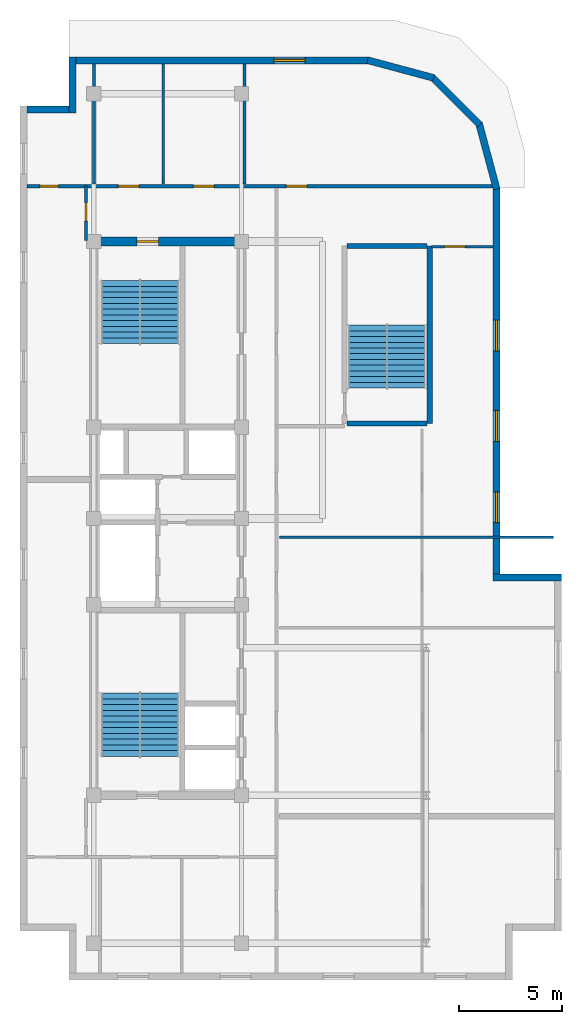
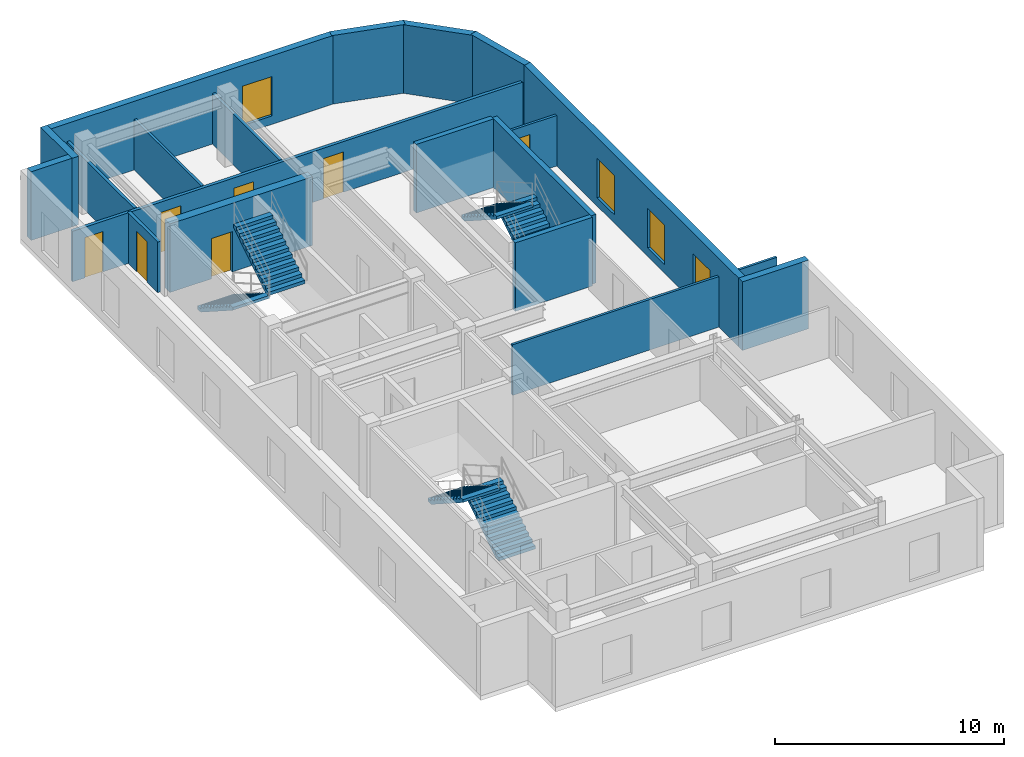
# One storey, part 4 of 5: 19 walls, 7 doors, 6 stair flights, 4 windows, 11 openings, 3 elements without a shape of their own.
"""IFC4 building model written with IfcOpenShell, lengths in metres."""

from ifc_helpers import new_model, entity, si_unit, converted_unit, direction, frame, origin_with_axes, origin_2d_with_axis, place, context, subcontext, project, spatial, polyline, rectangle, outline, extrude, material, layer, layer_set, type_object, element, fill, aggregate, save


model = new_model("IFC4")

# Units and contexts
model_context = context("Model", 3, precision=1e-05, world=origin_with_axes(), true_north=direction((0.0, 1.0)))
body_context = subcontext(model_context, "Body", "Model", "MODEL_VIEW")
ifc_project = project(units=[si_unit("LENGTHUNIT", "METRE"), si_unit("AREAUNIT", "SQUARE_METRE"), si_unit("VOLUMEUNIT", "CUBIC_METRE"), converted_unit("PLANEANGLEUNIT", "DEGREE", entity("IfcPlaneAngleMeasure", 0.017453292519943295), si_unit("PLANEANGLEUNIT", "RADIAN"), dimensions=[0, 0, 0, 0, 0, 0, 0]), si_unit("MASSUNIT", "GRAM", prefix="KILO"), si_unit("THERMODYNAMICTEMPERATUREUNIT", "KELVIN")], contexts=[model_context])

# Site, building, storey
site_placement = place(None, origin_with_axes())
site = spatial("IfcSite", under=ifc_project, at=site_placement, CompositionType="ELEMENT")
building_placement = place(site_placement, origin_with_axes())
building = spatial("IfcBuilding", under=site, at=building_placement, Name="Varnlund Millrace Tower", CompositionType="ELEMENT")
storey_placement = place(building_placement, frame((0.0, 0.0, 295.8), z_axis=(0.0, 0.0, 1.0), x_axis=(1.0, 0.0, 0.0)))
storey = spatial("IfcBuildingStorey", under=building, at=storey_placement, Name="L73", CompositionType="ELEMENT", Elevation=295.8)

# Wall, opening, door
ifc_material_1 = material(Name="Concrete C60/75", Category="concrete")
ifc_layer_1 = layer(ifc_material_1, 0.42, Name="Concrete C60/75")
ifc_layer_set_1 = layer_set([ifc_layer_1], Name="Concrete C60/75")
wall_type_1 = type_object("IfcWallType", Name="Type-CoreWall-Shear-420-C60", PredefinedType="SHEAR", material=ifc_layer_set_1)
wall_1_placement = place(storey_placement, frame((11.4, 37.8, 0.0), z_axis=(0.0, 0.0, 1.0), x_axis=(1.0, 0.0, 0.0)))
wall_1 = element("IfcWall", 1, at=wall_1_placement, inside=storey, type_object=wall_type_1, Name="Type-CoreWall-Shear-420-C60", PredefinedType="SHEAR", context=body_context, shape_type="SweptSolid", body=[
    extrude(outline(polyline([(0.0, -0.21), (7.2, -0.21), (7.2, 0.21), (0.0, 0.21), (0.0, -0.21)])), origin_with_axes(), (0.0, 0.0, 1.0), 3.66),
])
opening_1_placement = place(wall_1_placement, frame((2.625, 0.0, 0.0), z_axis=(0.0, 0.0, 1.0), x_axis=(1.0, 0.0, 0.0)))
opening_1 = element("IfcOpeningElement", 2, at=opening_1_placement, cuts=wall_1, Name="Opening L73:DR-STA2", PredefinedType="OPENING", context=body_context, shape_type="SweptSolid", body=[
    extrude(rectangle(XDim=1.05, YDim=0.44, at=origin_2d_with_axis()), origin_with_axes(), (0.0, 0.0, 1.0), 2.15),
])
ifc_material_2 = material(Name="Fire-rated hollow steel door", Category="steel")
door_type_1 = type_object("IfcDoorType", Name="Type-FireDoor-Stair-1050X2150", OperationType="NOTDEFINED", PredefinedType="DOOR", material=ifc_material_2)
door_1_placement = place(wall_1_placement, frame((2.625, 0.0, 0.0), z_axis=(0.0, 0.0, 1.0), x_axis=(1.0, 0.0, 0.0)))
door_1 = element("IfcDoor", 3, at=door_1_placement, inside=storey, type_object=door_type_1, Name="Type-FireDoor-Stair-1050X2150", OperationType="SINGLE_SWING_RIGHT", OverallHeight=2.15, OverallWidth=1.05, PredefinedType="DOOR", context=body_context, shape_type="SweptSolid", body=[
    extrude(rectangle(XDim=1.05, YDim=0.09, at=origin_2d_with_axis()), origin_with_axes(), (0.0, 0.0, 1.0), 2.15),
])
fill(opening_1, door_1)

# Walls
ifc_material_3 = material(Name="Precast concrete C50/60", Category="concrete")
ifc_layer_2 = layer(ifc_material_3, 0.34, Name="Precast concrete C50/60")
ifc_layer_set_2 = layer_set([ifc_layer_2], Name="Precast concrete C50/60")
wall_type_2 = type_object("IfcWallType", Name="Type-ExtWall-Precast-Upper-340", PredefinedType="SOLIDWALL", material=ifc_layer_set_2)
wall_2_placement = place(storey_placement, frame((8.14, 44.23, 0.0), z_axis=(0.0, 0.0, 1.0), x_axis=(1.0, 0.0, 0.0)))
element("IfcWall", 4, at=wall_2_placement, inside=storey, type_object=wall_type_2, Name="Type-ExtWall-Precast-Upper-340", PredefinedType="SOLIDWALL", context=body_context, shape_type="SweptSolid", body=[
    extrude(outline(polyline([(0.0, -0.17), (2.06, -0.17), (2.06, 0.17), (0.0, 0.17), (0.0, -0.17)])), origin_with_axes(), (0.0, 0.0, 1.0), 3.66),
])
wall_3_placement = place(storey_placement, frame((10.37, 44.06, 0.0), z_axis=(0.0, 0.0, 1.0), x_axis=(0.0, 1.0, 0.0)))
element("IfcWall", 5, at=wall_3_placement, inside=storey, type_object=wall_type_2, Name="Type-ExtWall-Precast-Upper-340", PredefinedType="SOLIDWALL", context=body_context, shape_type="SweptSolid", body=[
    extrude(outline(polyline([(0.0, -0.17), (2.74, -0.17), (2.74, 0.17), (0.0, 0.17), (0.0, -0.17)])), origin_with_axes(), (0.0, 0.0, 1.0), 3.66),
])

# Wall, opening, window
wall_4_placement = place(storey_placement, frame((10.54, 46.63, 0.0), z_axis=(0.0, 0.0, 1.0), x_axis=(1.0, 0.0, 0.0)))
wall_4 = element("IfcWall", 6, at=wall_4_placement, inside=storey, type_object=wall_type_2, Name="Type-ExtWall-Precast-Upper-340", PredefinedType="SOLIDWALL", context=body_context, shape_type="SweptSolid", body=[
    extrude(outline(polyline([(0.0, -0.17), (14.26, -0.17), (14.26, 0.17), (0.0, 0.17), (0.0, -0.17)])), origin_with_axes(), (0.0, 0.0, 1.0), 3.66),
])
opening_2_placement = place(wall_4_placement, frame((10.395, 0.0, 0.45), z_axis=(0.0, 0.0, 1.0), x_axis=(1.0, 0.0, 0.0)))
opening_2 = element("IfcOpeningElement", 7, at=opening_2_placement, cuts=wall_4, Name="Opening L73:WN-12", PredefinedType="OPENING", context=body_context, shape_type="SweptSolid", body=[
    extrude(rectangle(XDim=1.5, YDim=0.36, at=origin_2d_with_axis()), origin_with_axes(), (0.0, 0.0, 1.0), 2.1),
])
ifc_material_4 = material(Name="Argon low-e triple glazing in thermally broken bronze frame", Category="glass")
window_type = type_object("IfcWindowType", Name="Type-Window-Punched-1500X2100", PartitioningType="SINGLE_PANEL", PredefinedType="WINDOW", material=ifc_material_4)
window_1_placement = place(wall_4_placement, frame((10.395, 0.0, 0.45), z_axis=(0.0, 0.0, 1.0), x_axis=(1.0, 0.0, 0.0)))
window_1 = element("IfcWindow", 8, at=window_1_placement, inside=storey, type_object=window_type, Name="Type-Window-Punched-1500X2100", OverallHeight=2.1, OverallWidth=1.5, PredefinedType="WINDOW", context=body_context, shape_type="SweptSolid", body=[
    extrude(rectangle(XDim=1.5, YDim=0.09, at=origin_2d_with_axis()), origin_with_axes(), (0.0, 0.0, 1.0), 2.1),
])
fill(opening_2, window_1)

# Walls
wall_5_placement = place(storey_placement, frame((24.737, 46.641, 0.0), z_axis=(0.0, 0.0, 1.0), x_axis=(0.965965, -0.258671, 0.0)))
element("IfcWall", 9, at=wall_5_placement, inside=storey, type_object=wall_type_2, Name="Type-ExtWall-Precast-Upper-340", PredefinedType="SOLIDWALL", context=body_context, shape_type="SweptSolid", body=[
    extrude(outline(polyline([(0.0, -0.17), (3.332417, -0.17), (3.332417, 0.17), (0.0, 0.17), (0.0, -0.17)])), origin_with_axes(), (0.0, 0.0, 1.0), 3.66),
])
wall_6_placement = place(storey_placement, frame((27.866, 45.837, 0.0), z_axis=(0.0, 0.0, 1.0), x_axis=(0.707107, -0.707107, 0.0)))
element("IfcWall", 10, at=wall_6_placement, inside=storey, type_object=wall_type_2, Name="Type-ExtWall-Precast-Upper-340", PredefinedType="SOLIDWALL", context=body_context, shape_type="SweptSolid", body=[
    extrude(outline(polyline([(0.0, -0.17), (3.333301, -0.17), (3.333301, 0.17), (0.0, 0.17), (0.0, -0.17)])), origin_with_axes(), (0.0, 0.0, 1.0), 3.66),
])
wall_7_placement = place(storey_placement, frame((30.174, 43.575, 0.0), z_axis=(0.0, 0.0, 1.0), x_axis=(0.258671, -0.965965, 0.0)))
element("IfcWall", 11, at=wall_7_placement, inside=storey, type_object=wall_type_2, Name="Type-ExtWall-Precast-Upper-340", PredefinedType="SOLIDWALL", context=body_context, shape_type="SweptSolid", body=[
    extrude(outline(polyline([(0.0, -0.17), (3.332417, -0.17), (3.332417, 0.17), (0.0, 0.17), (0.0, -0.17)])), origin_with_axes(), (0.0, 0.0, 1.0), 3.66),
])

# Wall, openings, windows
wall_8_placement = place(storey_placement, frame((31.03, 40.42, 0.0), z_axis=(0.0, 0.0, 1.0), x_axis=(0.0, -1.0, 0.0)))
wall_8 = element("IfcWall", 12, at=wall_8_placement, inside=storey, type_object=wall_type_2, Name="Type-ExtWall-Precast-Upper-340", PredefinedType="SOLIDWALL", context=body_context, shape_type="SweptSolid", body=[
    extrude(outline(polyline([(0.0, -0.17), (18.82, -0.17), (18.82, 0.17), (0.0, 0.17), (0.0, -0.17)])), origin_with_axes(), (0.0, 0.0, 1.0), 3.66),
])
opening_3_placement = place(wall_8_placement, frame((7.207, 0.0, 0.45), z_axis=(0.0, 0.0, 1.0), x_axis=(1.0, 0.0, 0.0)))
opening_3 = element("IfcOpeningElement", 13, at=opening_3_placement, cuts=wall_8, Name="Opening L73:WN-13", PredefinedType="OPENING", context=body_context, shape_type="SweptSolid", body=[
    extrude(rectangle(XDim=1.5, YDim=0.36, at=origin_2d_with_axis()), origin_with_axes(), (0.0, 0.0, 1.0), 2.1),
])
opening_4_placement = place(wall_8_placement, frame((11.613, 0.0, 0.45), z_axis=(0.0, 0.0, 1.0), x_axis=(1.0, 0.0, 0.0)))
opening_4 = element("IfcOpeningElement", 14, at=opening_4_placement, cuts=wall_8, Name="Opening L73:WN-14", PredefinedType="OPENING", context=body_context, shape_type="SweptSolid", body=[
    extrude(rectangle(XDim=1.5, YDim=0.36, at=origin_2d_with_axis()), origin_with_axes(), (0.0, 0.0, 1.0), 2.1),
])
opening_5_placement = place(wall_8_placement, frame((15.568, 0.0, 0.45), z_axis=(0.0, 0.0, 1.0), x_axis=(1.0, 0.0, 0.0)))
opening_5 = element("IfcOpeningElement", 15, at=opening_5_placement, cuts=wall_8, Name="Opening L73:WN-15", PredefinedType="OPENING", context=body_context, shape_type="SweptSolid", body=[
    extrude(rectangle(XDim=1.5, YDim=0.36, at=origin_2d_with_axis()), origin_with_axes(), (0.0, 0.0, 1.0), 2.1),
])
window_2_placement = place(wall_8_placement, frame((7.207, 0.0, 0.45), z_axis=(0.0, 0.0, 1.0), x_axis=(1.0, 0.0, 0.0)))
window_2 = element("IfcWindow", 16, at=window_2_placement, inside=storey, type_object=window_type, Name="Type-Window-Punched-1500X2100", OverallHeight=2.1, OverallWidth=1.5, PredefinedType="WINDOW", context=body_context, shape_type="SweptSolid", body=[
    extrude(rectangle(XDim=1.5, YDim=0.09, at=origin_2d_with_axis()), origin_with_axes(), (0.0, 0.0, 1.0), 2.1),
])
fill(opening_3, window_2)
window_3_placement = place(wall_8_placement, frame((11.613, 0.0, 0.45), z_axis=(0.0, 0.0, 1.0), x_axis=(1.0, 0.0, 0.0)))
window_3 = element("IfcWindow", 17, at=window_3_placement, inside=storey, type_object=window_type, Name="Type-Window-Punched-1500X2100", OverallHeight=2.1, OverallWidth=1.5, PredefinedType="WINDOW", context=body_context, shape_type="SweptSolid", body=[
    extrude(rectangle(XDim=1.5, YDim=0.09, at=origin_2d_with_axis()), origin_with_axes(), (0.0, 0.0, 1.0), 2.1),
])
fill(opening_4, window_3)
window_4_placement = place(wall_8_placement, frame((15.568, 0.0, 0.45), z_axis=(0.0, 0.0, 1.0), x_axis=(1.0, 0.0, 0.0)))
window_4 = element("IfcWindow", 18, at=window_4_placement, inside=storey, type_object=window_type, Name="Type-Window-Punched-1500X2100", OverallHeight=2.1, OverallWidth=1.5, PredefinedType="WINDOW", context=body_context, shape_type="SweptSolid", body=[
    extrude(rectangle(XDim=1.5, YDim=0.09, at=origin_2d_with_axis()), origin_with_axes(), (0.0, 0.0, 1.0), 2.1),
])
fill(opening_5, window_4)

# Wall
wall_9_placement = place(storey_placement, frame((30.86, 21.43, 0.0), z_axis=(0.0, 0.0, 1.0), x_axis=(1.0, 0.0, 0.0)))
element("IfcWall", 19, at=wall_9_placement, inside=storey, type_object=wall_type_2, Name="Type-ExtWall-Precast-Upper-340", PredefinedType="SOLIDWALL", context=body_context, shape_type="SweptSolid", body=[
    extrude(outline(polyline([(0.0, -0.17), (3.34, -0.17), (3.34, 0.17), (0.0, 0.17), (0.0, -0.17)])), origin_with_axes(), (0.0, 0.0, 1.0), 3.66),
])

# Wall, openings, doors
ifc_material_5 = material(Name="Fire-rated gypsum board on cold-formed steel framing", Category="steel")
ifc_layer_3 = layer(ifc_material_5, 0.16, Name="Fire-rated gypsum board on cold-formed steel framing")
ifc_layer_set_3 = layer_set([ifc_layer_3], Name="Fire-rated gypsum board on cold-formed steel framing")
wall_type_3 = type_object("IfcWallType", Name="Type-Partition-Corridor-160", PredefinedType="PARTITIONING", material=ifc_layer_set_3)
wall_10_placement = place(storey_placement, frame((8.135, 40.5, 0.0), z_axis=(0.0, 0.0, 1.0), x_axis=(1.0, 0.0, 0.0)))
wall_10 = element("IfcWall", 20, at=wall_10_placement, inside=storey, type_object=wall_type_3, Name="Type-Partition-Corridor-160", PredefinedType="PARTITIONING", context=body_context, shape_type="SweptSolid", body=[
    extrude(outline(polyline([(0.0, -0.08), (22.715, -0.08), (22.715, 0.08), (0.0, 0.08), (0.0, -0.08)])), origin_with_axes(), (0.0, 0.0, 1.0), 2.7),
])
opening_6_placement = place(wall_10_placement, frame((1.08, 0.0, 0.0), z_axis=(0.0, 0.0, 1.0), x_axis=(1.0, 0.0, 0.0)))
opening_6 = element("IfcOpeningElement", 21, at=opening_6_placement, cuts=wall_10, Name="Opening L73:DR-WAN-01", PredefinedType="OPENING", context=body_context, shape_type="SweptSolid", body=[
    extrude(rectangle(XDim=0.9, YDim=0.18, at=origin_2d_with_axis()), origin_with_axes(), (0.0, 0.0, 1.0), 2.15),
])
opening_7_placement = place(wall_10_placement, frame((4.9585, 0.0, 0.0), z_axis=(0.0, 0.0, 1.0), x_axis=(1.0, 0.0, 0.0)))
opening_7 = element("IfcOpeningElement", 22, at=opening_7_placement, cuts=wall_10, Name="Opening L73:DR-WAN-02", PredefinedType="OPENING", context=body_context, shape_type="SweptSolid", body=[
    extrude(rectangle(XDim=1.0, YDim=0.18, at=origin_2d_with_axis()), origin_with_axes(), (0.0, 0.0, 1.0), 2.15),
])
opening_8_placement = place(wall_10_placement, frame((8.63, 0.0, 0.0), z_axis=(0.0, 0.0, 1.0), x_axis=(1.0, 0.0, 0.0)))
opening_8 = element("IfcOpeningElement", 23, at=opening_8_placement, cuts=wall_10, Name="Opening L73:DR-WAN-03", PredefinedType="OPENING", context=body_context, shape_type="SweptSolid", body=[
    extrude(rectangle(XDim=1.0, YDim=0.18, at=origin_2d_with_axis()), origin_with_axes(), (0.0, 0.0, 1.0), 2.15),
])
opening_9_placement = place(wall_10_placement, frame((13.151, 0.0, 0.0), z_axis=(0.0, 0.0, 1.0), x_axis=(1.0, 0.0, 0.0)))
opening_9 = element("IfcOpeningElement", 24, at=opening_9_placement, cuts=wall_10, Name="Opening L73:DR-WAN-04", PredefinedType="OPENING", context=body_context, shape_type="SweptSolid", body=[
    extrude(rectangle(XDim=1.0, YDim=0.18, at=origin_2d_with_axis()), origin_with_axes(), (0.0, 0.0, 1.0), 2.15),
])
ifc_material_6 = material(Name="Painted steel riser and closet door", Category="steel")
door_type_2 = type_object("IfcDoorType", Name="Type-IntDoor-Closet-900X2150", OperationType="NOTDEFINED", PredefinedType="DOOR", material=ifc_material_6)
door_2_placement = place(wall_10_placement, frame((1.08, 0.0, 0.0), z_axis=(0.0, 0.0, 1.0), x_axis=(1.0, 0.0, 0.0)))
door_2 = element("IfcDoor", 25, at=door_2_placement, inside=storey, type_object=door_type_2, Name="Type-IntDoor-Closet-900X2150", OperationType="SINGLE_SWING_LEFT", OverallHeight=2.15, OverallWidth=0.9, PredefinedType="DOOR", context=body_context, shape_type="SweptSolid", body=[
    extrude(rectangle(XDim=0.9, YDim=0.09, at=origin_2d_with_axis()), origin_with_axes(), (0.0, 0.0, 1.0), 2.15),
])
fill(opening_6, door_2)
ifc_material_7 = material(Name="Solid-core white oak and bronze frame door")
door_type_3 = type_object("IfcDoorType", Name="Type-IntDoor-Office-1000X2150", OperationType="NOTDEFINED", PredefinedType="DOOR", material=ifc_material_7)
door_3_placement = place(wall_10_placement, frame((4.9585, 0.0, 0.0), z_axis=(0.0, 0.0, 1.0), x_axis=(1.0, 0.0, 0.0)))
door_3 = element("IfcDoor", 26, at=door_3_placement, inside=storey, type_object=door_type_3, Name="Type-IntDoor-Office-1000X2150", OperationType="SINGLE_SWING_RIGHT", OverallHeight=2.15, OverallWidth=1.0, PredefinedType="DOOR", context=body_context, shape_type="SweptSolid", body=[
    extrude(rectangle(XDim=1.0, YDim=0.09, at=origin_2d_with_axis()), origin_with_axes(), (0.0, 0.0, 1.0), 2.15),
])
fill(opening_7, door_3)
door_4_placement = place(wall_10_placement, frame((8.63, 0.0, 0.0), z_axis=(0.0, 0.0, 1.0), x_axis=(1.0, 0.0, 0.0)))
door_4 = element("IfcDoor", 27, at=door_4_placement, inside=storey, type_object=door_type_3, Name="Type-IntDoor-Office-1000X2150", OperationType="SINGLE_SWING_LEFT", OverallHeight=2.15, OverallWidth=1.0, PredefinedType="DOOR", context=body_context, shape_type="SweptSolid", body=[
    extrude(rectangle(XDim=1.0, YDim=0.09, at=origin_2d_with_axis()), origin_with_axes(), (0.0, 0.0, 1.0), 2.15),
])
fill(opening_8, door_4)
door_5_placement = place(wall_10_placement, frame((13.151, 0.0, 0.0), z_axis=(0.0, 0.0, 1.0), x_axis=(1.0, 0.0, 0.0)))
door_5 = element("IfcDoor", 28, at=door_5_placement, inside=storey, type_object=door_type_3, Name="Type-IntDoor-Office-1000X2150", OperationType="SINGLE_SWING_RIGHT", OverallHeight=2.15, OverallWidth=1.0, PredefinedType="DOOR", context=body_context, shape_type="SweptSolid", body=[
    extrude(rectangle(XDim=1.0, YDim=0.09, at=origin_2d_with_axis()), origin_with_axes(), (0.0, 0.0, 1.0), 2.15),
])
fill(opening_9, door_5)

# Wall, opening, door
wall_11_placement = place(storey_placement, frame((11.02, 37.85, 0.0), z_axis=(0.0, 0.0, 1.0), x_axis=(0.0, 1.0, 0.0)))
wall_11 = element("IfcWall", 29, at=wall_11_placement, inside=storey, type_object=wall_type_3, Name="Type-Partition-Corridor-160", PredefinedType="PARTITIONING", context=body_context, shape_type="SweptSolid", body=[
    extrude(outline(polyline([(0.0, -0.08), (2.65, -0.08), (2.65, 0.08), (0.0, 0.08), (0.0, -0.08)])), origin_with_axes(), (0.0, 0.0, 1.0), 2.7),
])
opening_10_placement = place(wall_11_placement, frame((1.4, 0.0, 0.0), z_axis=(0.0, 0.0, 1.0), x_axis=(1.0, 0.0, 0.0)))
opening_10 = element("IfcOpeningElement", 30, at=opening_10_placement, cuts=wall_11, Name="Opening L73:DR-WU-N1", PredefinedType="OPENING", context=body_context, shape_type="SweptSolid", body=[
    extrude(rectangle(XDim=0.9, YDim=0.18, at=origin_2d_with_axis()), origin_with_axes(), (0.0, 0.0, 1.0), 2.15),
])
door_6_placement = place(wall_11_placement, frame((1.4, 0.0, 0.0), z_axis=(0.0, 0.0, 1.0), x_axis=(1.0, 0.0, 0.0)))
door_6 = element("IfcDoor", 31, at=door_6_placement, inside=storey, type_object=door_type_2, Name="Type-IntDoor-Closet-900X2150", OperationType="SINGLE_SWING_RIGHT", OverallHeight=2.15, OverallWidth=0.9, PredefinedType="DOOR", context=body_context, shape_type="SweptSolid", body=[
    extrude(rectangle(XDim=0.9, YDim=0.09, at=origin_2d_with_axis()), origin_with_axes(), (0.0, 0.0, 1.0), 2.15),
])
fill(opening_10, door_6)

# Walls
ifc_material_8 = material(Name="Acoustic STC-50 gypsum board partition", Category="gypsum")
ifc_layer_4 = layer(ifc_material_8, 0.15, Name="Acoustic STC-50 gypsum board partition")
ifc_layer_set_4 = layer_set([ifc_layer_4], Name="Acoustic STC-50 gypsum board partition")
wall_type_4 = type_object("IfcWallType", Name="Type-Partition-Demising-150", PredefinedType="PARTITIONING", material=ifc_layer_set_4)
for number, where, z_axis, x_axis, name in (
    (32, (11.4, 40.6, 0.0), (0.0, 0.0, 1.0), (0.0, 1.0, 0.0), "Type-Partition-Demising-150"),
    (33, (18.743, 40.6, 0.0), (0.0, 0.0, 1.0), (0.0, 1.0, 0.0), "Type-Partition-Demising-150"),
):
    element("IfcWall", number, at=place(storey_placement, frame(where, z_axis=z_axis, x_axis=x_axis)), inside=storey, type_object=wall_type_4, Name=name, PredefinedType="PARTITIONING", context=body_context, shape_type="SweptSolid", body=[
        extrude(outline(polyline([(0.0, -0.075), (5.865, -0.075), (5.865, 0.075), (0.0, 0.075), (0.0, -0.075)])), origin_with_axes(), (0.0, 0.0, 1.0), 2.7),
    ])
ifc_material_9 = material(Name="Gypsum board tenant partition", Category="gypsum")
ifc_layer_5 = layer(ifc_material_9, 0.125, Name="Gypsum board tenant partition")
ifc_layer_set_5 = layer_set([ifc_layer_5], Name="Gypsum board tenant partition")
wall_type_5 = type_object("IfcWallType", Name="Type-Partition-Tenant-125", PredefinedType="PARTITIONING", material=ifc_layer_set_5)
wall_12_placement = place(storey_placement, frame((14.787, 40.6, 0.0), z_axis=(0.0, 0.0, 1.0), x_axis=(0.0, 1.0, 0.0)))
element("IfcWall", 34, at=wall_12_placement, inside=storey, type_object=wall_type_5, Name="Type-Partition-Tenant-125", PredefinedType="PARTITIONING", context=body_context, shape_type="SweptSolid", body=[
    extrude(outline(polyline([(0.0, -0.0625), (5.865, -0.0625), (5.865, 0.0625), (0.0, 0.0625), (0.0, -0.0625)])), origin_with_axes(), (0.0, 0.0, 1.0), 2.7),
])
wall_13_placement = place(storey_placement, frame((20.45, 23.383, 0.0), z_axis=(0.0, 0.0, 1.0), x_axis=(1.0, 0.0, 0.0)))
element("IfcWall", 35, at=wall_13_placement, inside=storey, type_object=wall_type_5, Name="Type-Partition-Tenant-125", PredefinedType="PARTITIONING", context=body_context, shape_type="SweptSolid", body=[
    extrude(outline(polyline([(0.0, -0.0625), (13.35, -0.0625), (13.35, 0.0625), (0.0, 0.0625), (0.0, -0.0625)])), origin_with_axes(), (0.0, 0.0, 1.0), 2.7),
])

# Wall, opening, door
wall_14_placement = place(storey_placement, frame((27.85, 37.55, 0.0), z_axis=(0.0, 0.0, 1.0), x_axis=(1.0, 0.0, 0.0)))
wall_14 = element("IfcWall", 36, at=wall_14_placement, inside=storey, type_object=wall_type_5, Name="Type-Partition-Tenant-125", PredefinedType="PARTITIONING", context=body_context, shape_type="SweptSolid", body=[
    extrude(outline(polyline([(0.0, -0.0625), (3.015, -0.0625), (3.015, 0.0625), (0.0, 0.0625), (0.0, -0.0625)])), origin_with_axes(), (0.0, 0.0, 1.0), 2.7),
])
opening_11_placement = place(wall_14_placement, frame((1.15, 0.0, 0.0), z_axis=(0.0, 0.0, 1.0), x_axis=(1.0, 0.0, 0.0)))
opening_11 = element("IfcOpeningElement", 37, at=opening_11_placement, cuts=wall_14, Name="Opening L73:DR-SUM-N", PredefinedType="OPENING", context=body_context, shape_type="SweptSolid", body=[
    extrude(rectangle(XDim=1.0, YDim=0.145, at=origin_2d_with_axis()), origin_with_axes(), (0.0, 0.0, 1.0), 2.15),
])
door_7_placement = place(wall_14_placement, frame((1.15, 0.0, 0.0), z_axis=(0.0, 0.0, 1.0), x_axis=(1.0, 0.0, 0.0)))
door_7 = element("IfcDoor", 38, at=door_7_placement, inside=storey, type_object=door_type_3, Name="Type-IntDoor-Office-1000X2150", OperationType="SINGLE_SWING_LEFT", OverallHeight=2.15, OverallWidth=1.0, PredefinedType="DOOR", context=body_context, shape_type="SweptSolid", body=[
    extrude(rectangle(XDim=1.0, YDim=0.075, at=origin_2d_with_axis()), origin_with_axes(), (0.0, 0.0, 1.0), 2.15),
])
fill(opening_11, door_7)

# Walls
ifc_layer_6 = layer(ifc_material_1, 0.25, Name="Concrete C60/75")
ifc_layer_set_6 = layer_set([ifc_layer_6], Name="Concrete C60/75")
wall_type_6 = type_object("IfcWallType", Name="Type-StairWall-Shear-250", PredefinedType="SHEAR", material=ifc_layer_set_6)
wall_15_placement = place(storey_placement, frame((27.775, 28.925, 0.0), z_axis=(0.0, 0.0, 1.0), x_axis=(0.0, 1.0, 0.0)))
element("IfcWall", 39, at=wall_15_placement, inside=storey, type_object=wall_type_6, Name="Type-StairWall-Shear-250", PredefinedType="SHEAR", context=body_context, shape_type="SweptSolid", body=[
    extrude(outline(polyline([(0.0, -0.125), (8.65, -0.125), (8.65, 0.125), (0.0, 0.125), (0.0, -0.125)])), origin_with_axes(), (0.0, 0.0, 1.0), 3.66),
])
for number, where, z_axis, x_axis, name in (
    (40, (23.75, 28.925, 0.0), (0.0, 0.0, 1.0), (1.0, 0.0, 0.0), "Type-StairWall-Shear-250"),
    (41, (23.75, 37.575, 0.0), (0.0, 0.0, 1.0), (1.0, 0.0, 0.0), "Type-StairWall-Shear-250"),
):
    element("IfcWall", number, at=place(storey_placement, frame(where, z_axis=z_axis, x_axis=x_axis)), inside=storey, type_object=wall_type_6, Name=name, PredefinedType="SHEAR", context=body_context, shape_type="SweptSolid", body=[
        extrude(outline(polyline([(0.0, -0.125), (3.9, -0.125), (3.9, 0.125), (0.0, 0.125), (0.0, -0.125)])), origin_with_axes(), (0.0, 0.0, 1.0), 3.66),
    ])

# Stair, stair flights
ifc_material_10 = material(Name="Concrete C50/60", Category="concrete")
stair_type = type_object("IfcStairType", Name="Type-Stair-Dogleg-185-390", PredefinedType="HALF_TURN_STAIR", material=ifc_material_10)
stair_1_placement = place(storey_placement, origin_with_axes())
stair_1 = element("IfcStair", 42, at=stair_1_placement, inside=storey, type_object=stair_type, Name="Type-Stair-Dogleg-185-390", PredefinedType="HALF_TURN_STAIR")
stair_flight_type = type_object("IfcStairFlightType", Name="Type-Dogleg-Run-185-390", PredefinedType="STRAIGHT", material=ifc_material_3)
stair_flight_1_placement = place(storey_placement, frame((13.625, 12.7, 0.0), z_axis=(1.0, 0.0, 0.0), x_axis=(0.0, 1.0, 0.0)))
stair_flight_1 = element("IfcStairFlight", 43, at=stair_flight_1_placement, type_object=stair_flight_type, Name="ST-A1 flight 1", NumberOfRisers=11, NumberOfTreads=11, PredefinedType="STRAIGHT", RiserHeight=0.177273, TreadLength=0.28, context=body_context, shape_type="SweptSolid", body=[
    extrude(outline(polyline([(0.0, 0.0), (0.0, 0.177273), (0.28, 0.177273), (0.28, 0.354545), (0.56, 0.354545), (0.56, 0.531818), (0.84, 0.531818), (0.84, 0.709091), (1.12, 0.709091), (1.12, 0.886364), (1.4, 0.886364), (1.4, 1.063636), (1.68, 1.063636), (1.68, 1.240909), (1.96, 1.240909), (1.96, 1.418182), (2.24, 1.418182), (2.24, 1.595454), (2.52, 1.595454), (2.52, 1.772727), (2.8, 1.772727), (2.8, 1.95), (3.08, 1.95), (3.08, 1.8), (0.28, 0.0), (0.0, 0.0)])), origin_with_axes(), (0.0, 0.0, 1.0), 1.85),
])
stair_flight_2_placement = place(storey_placement, frame((13.675, 15.78, 1.95), z_axis=(-1.0, 0.0, 0.0), x_axis=(0.0, -1.0, 0.0)))
stair_flight_2 = element("IfcStairFlight", 44, at=stair_flight_2_placement, type_object=stair_flight_type, Name="ST-A1 flight 2", NumberOfRisers=11, NumberOfTreads=11, PredefinedType="STRAIGHT", RiserHeight=0.177273, TreadLength=0.28, context=body_context, shape_type="SweptSolid", body=[
    extrude(outline(polyline([(0.0, 0.0), (0.0, 0.177273), (0.28, 0.177273), (0.28, 0.354545), (0.56, 0.354545), (0.56, 0.531818), (0.84, 0.531818), (0.84, 0.709091), (1.12, 0.709091), (1.12, 0.886364), (1.4, 0.886364), (1.4, 1.063636), (1.68, 1.063636), (1.68, 1.240909), (1.96, 1.240909), (1.96, 1.418182), (2.24, 1.418182), (2.24, 1.595454), (2.52, 1.595454), (2.52, 1.772727), (2.8, 1.772727), (2.8, 1.95), (3.08, 1.95), (3.08, 1.8), (0.28, 0.0), (0.0, 0.0)])), origin_with_axes(), (0.0, 0.0, 1.0), 1.85),
])
aggregate(stair_1, [stair_flight_1, stair_flight_2])

stair_2_placement = place(storey_placement, origin_with_axes())
stair_2 = element("IfcStair", 45, at=stair_2_placement, inside=storey, type_object=stair_type, Name="Type-Stair-Dogleg-185-390", PredefinedType="HALF_TURN_STAIR")
stair_flight_3_placement = place(storey_placement, frame((13.675, 35.9, 0.0), z_axis=(-1.0, 0.0, 0.0), x_axis=(0.0, -1.0, 0.0)))
stair_flight_3 = element("IfcStairFlight", 46, at=stair_flight_3_placement, type_object=stair_flight_type, Name="ST-A2 flight 1", NumberOfRisers=11, NumberOfTreads=11, PredefinedType="STRAIGHT", RiserHeight=0.177273, TreadLength=0.28, context=body_context, shape_type="SweptSolid", body=[
    extrude(outline(polyline([(0.0, 0.0), (0.0, 0.177273), (0.28, 0.177273), (0.28, 0.354545), (0.56, 0.354545), (0.56, 0.531818), (0.84, 0.531818), (0.84, 0.709091), (1.12, 0.709091), (1.12, 0.886364), (1.4, 0.886364), (1.4, 1.063636), (1.68, 1.063636), (1.68, 1.240909), (1.96, 1.240909), (1.96, 1.418182), (2.24, 1.418182), (2.24, 1.595454), (2.52, 1.595454), (2.52, 1.772727), (2.8, 1.772727), (2.8, 1.95), (3.08, 1.95), (3.08, 1.8), (0.28, 0.0), (0.0, 0.0)])), origin_with_axes(), (0.0, 0.0, 1.0), 1.85),
])
stair_flight_4_placement = place(storey_placement, frame((13.625, 32.82, 1.95), z_axis=(1.0, 0.0, 0.0), x_axis=(0.0, 1.0, 0.0)))
stair_flight_4 = element("IfcStairFlight", 47, at=stair_flight_4_placement, type_object=stair_flight_type, Name="ST-A2 flight 2", NumberOfRisers=11, NumberOfTreads=11, PredefinedType="STRAIGHT", RiserHeight=0.177273, TreadLength=0.28, context=body_context, shape_type="SweptSolid", body=[
    extrude(outline(polyline([(0.0, 0.0), (0.0, 0.177273), (0.28, 0.177273), (0.28, 0.354545), (0.56, 0.354545), (0.56, 0.531818), (0.84, 0.531818), (0.84, 0.709091), (1.12, 0.709091), (1.12, 0.886364), (1.4, 0.886364), (1.4, 1.063636), (1.68, 1.063636), (1.68, 1.240909), (1.96, 1.240909), (1.96, 1.418182), (2.24, 1.418182), (2.24, 1.595454), (2.52, 1.595454), (2.52, 1.772727), (2.8, 1.772727), (2.8, 1.95), (3.08, 1.95), (3.08, 1.8), (0.28, 0.0), (0.0, 0.0)])), origin_with_axes(), (0.0, 0.0, 1.0), 1.85),
])
aggregate(stair_2, [stair_flight_3, stair_flight_4])

stair_3_placement = place(storey_placement, origin_with_axes())
stair_3 = element("IfcStair", 48, at=stair_3_placement, inside=storey, type_object=stair_type, Name="Type-Stair-Dogleg-185-390", PredefinedType="HALF_TURN_STAIR")
stair_flight_5_placement = place(storey_placement, frame((25.675, 30.65, 0.0), z_axis=(1.0, 0.0, 0.0), x_axis=(0.0, 1.0, 0.0)))
stair_flight_5 = element("IfcStairFlight", 49, at=stair_flight_5_placement, type_object=stair_flight_type, Name="ST-A3 flight 1", NumberOfRisers=11, NumberOfTreads=11, PredefinedType="STRAIGHT", RiserHeight=0.177273, TreadLength=0.28, context=body_context, shape_type="SweptSolid", body=[
    extrude(outline(polyline([(0.0, 0.0), (0.0, 0.177273), (0.28, 0.177273), (0.28, 0.354545), (0.56, 0.354545), (0.56, 0.531818), (0.84, 0.531818), (0.84, 0.709091), (1.12, 0.709091), (1.12, 0.886364), (1.4, 0.886364), (1.4, 1.063636), (1.68, 1.063636), (1.68, 1.240909), (1.96, 1.240909), (1.96, 1.418182), (2.24, 1.418182), (2.24, 1.595454), (2.52, 1.595454), (2.52, 1.772727), (2.8, 1.772727), (2.8, 1.95), (3.08, 1.95), (3.08, 1.8), (0.28, 0.0), (0.0, 0.0)])), origin_with_axes(), (0.0, 0.0, 1.0), 1.85),
])
stair_flight_6_placement = place(storey_placement, frame((25.725, 33.73, 1.95), z_axis=(-1.0, 0.0, 0.0), x_axis=(0.0, -1.0, 0.0)))
stair_flight_6 = element("IfcStairFlight", 50, at=stair_flight_6_placement, type_object=stair_flight_type, Name="ST-A3 flight 2", NumberOfRisers=11, NumberOfTreads=11, PredefinedType="STRAIGHT", RiserHeight=0.177273, TreadLength=0.28, context=body_context, shape_type="SweptSolid", body=[
    extrude(outline(polyline([(0.0, 0.0), (0.0, 0.177273), (0.28, 0.177273), (0.28, 0.354545), (0.56, 0.354545), (0.56, 0.531818), (0.84, 0.531818), (0.84, 0.709091), (1.12, 0.709091), (1.12, 0.886364), (1.4, 0.886364), (1.4, 1.063636), (1.68, 1.063636), (1.68, 1.240909), (1.96, 1.240909), (1.96, 1.418182), (2.24, 1.418182), (2.24, 1.595454), (2.52, 1.595454), (2.52, 1.772727), (2.8, 1.772727), (2.8, 1.95), (3.08, 1.95), (3.08, 1.8), (0.28, 0.0), (0.0, 0.0)])), origin_with_axes(), (0.0, 0.0, 1.0), 1.85),
])
aggregate(stair_3, [stair_flight_5, stair_flight_6])

save(model, "model.ifc")
